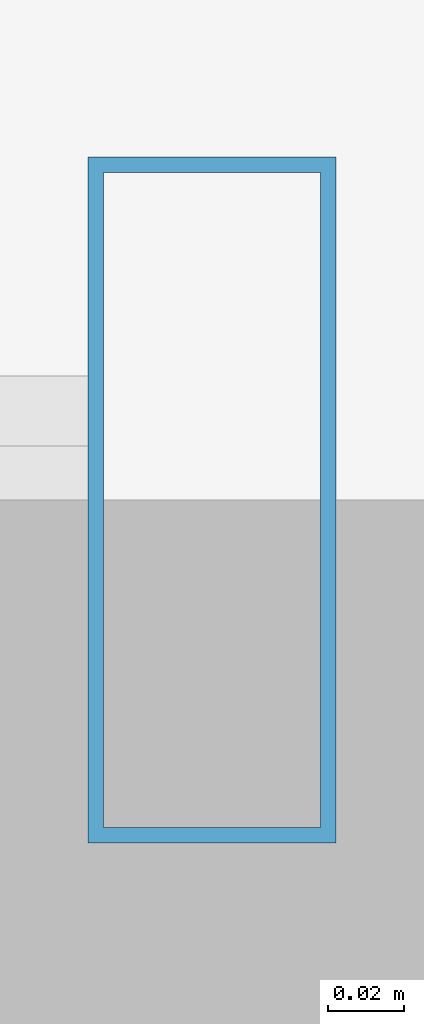
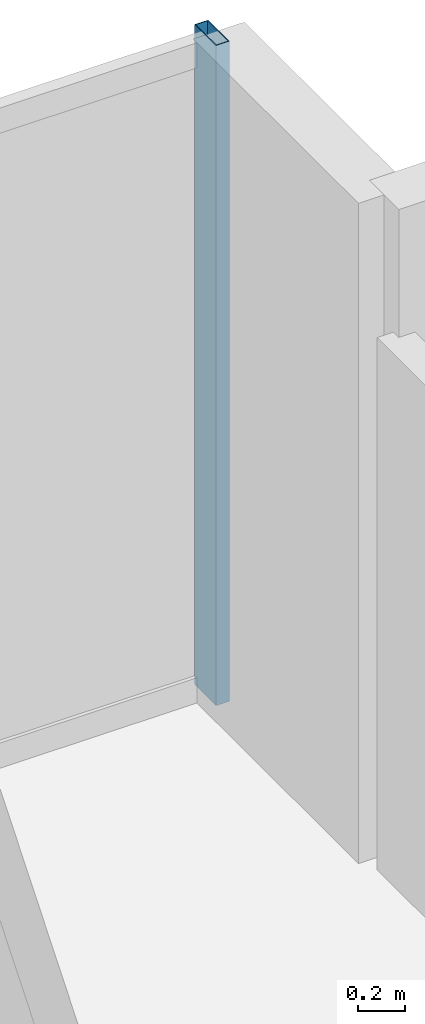
# One storey, part 27 of 36: 1 member, 1 element without a shape of its own.
"""IFC4 building model written with IfcOpenShell, lengths in metres."""

from ifc_helpers import new_model, si_unit, direction, frame, origin, origin_2d, place, context, subcontext, project, spatial, hollow_rectangle, extrude, source, transform, mapped, material, material_profile, profile_set, type_object, element, aggregate, save


model = new_model("IFC4")

# Units and contexts
model_context = context("Model", 3, precision=1e-05, world=origin(), true_north=direction((0.0, 1.0)))
body_context = subcontext(model_context, "Body", "Model", "MODEL_VIEW")
ifc_project = project(units=[si_unit("LENGTHUNIT", "METRE"), si_unit("AREAUNIT", "SQUARE_METRE"), si_unit("VOLUMEUNIT", "CUBIC_METRE"), si_unit("PLANEANGLEUNIT", "RADIAN"), si_unit("MASSUNIT", "GRAM", prefix="KILO")], contexts=[model_context])

# Site, building, storey
site_placement = place(None, origin())
site = spatial("IfcSite", under=ifc_project, at=site_placement, CompositionType="ELEMENT")
building_placement = place(site_placement, origin())
building = spatial("IfcBuilding", under=site, at=building_placement, Name="Nahalor Promenade Grand Hotel", CompositionType="ELEMENT")
storey_placement = place(building_placement, frame((0.0, 0.0, 241.89990234375)))
storey = spatial("IfcBuildingStorey", under=building, at=storey_placement, Name="L62", CompositionType="ELEMENT", Elevation=241.89990234375)

# Curtain wall, member
ifc_material = material(Name="Anodised Bronze Aluminium EN AW-6063 T6", Category="aluminium")
curtain_wall_type = type_object("IfcCurtainWallType", Name="CW2 Typical Hotel Flush Bronze Unitised Curtain Wall", PredefinedType="USERDEFINED", material=ifc_material)
curtain_wall_placement = place(storey_placement, origin())
curtain_wall = element("IfcCurtainWall", 1, at=curtain_wall_placement, inside=storey, type_object=curtain_wall_type, Name="L62 Curtain Wall CW-L62-N-3", ObjectType="UNITISED_CURTAIN_WALL", PredefinedType="USERDEFINED")
ifc_material_profile = material_profile(ifc_material, hollow_rectangle(XDim=0.065, YDim=0.18, WallThickness=0.004, at=origin_2d()), Name="CWM 65x180x4")
ifc_profile_set = profile_set([ifc_material_profile], Name="Anodised Bronze Aluminium EN AW-6063 T6")
member_type = type_object("IfcMemberType", Name="CWM2 Typical Bronze Mullion 65x180", PredefinedType="MULLION", material=ifc_profile_set)
shared_shape = source(origin(), body_context, "Body", "SweptSolid", [
    extrude(hollow_rectangle(XDim=0.065, YDim=0.18, WallThickness=0.004, at=origin_2d()), origin(), (0.0, 0.0, 1.0), 3.41015625),
])
member_placement = place(storey_placement, frame((21.12744140625, 23.9599609375, 0.0), z_axis=(0.0, 0.0, 1.0), x_axis=(1.0, 0.0, 0.0)))
member = element("IfcMember", 2, at=member_placement, type_object=member_type, Name="CW-L62-N-3 Mullion 3", PredefinedType="MULLION", context=body_context, shape_type="MappedRepresentation", body=[
    mapped(shared_shape, transform((0.0, 0.0, 0.0), scale=1.0)),
])
aggregate(curtain_wall, [member])

save(model, "model.ifc")
